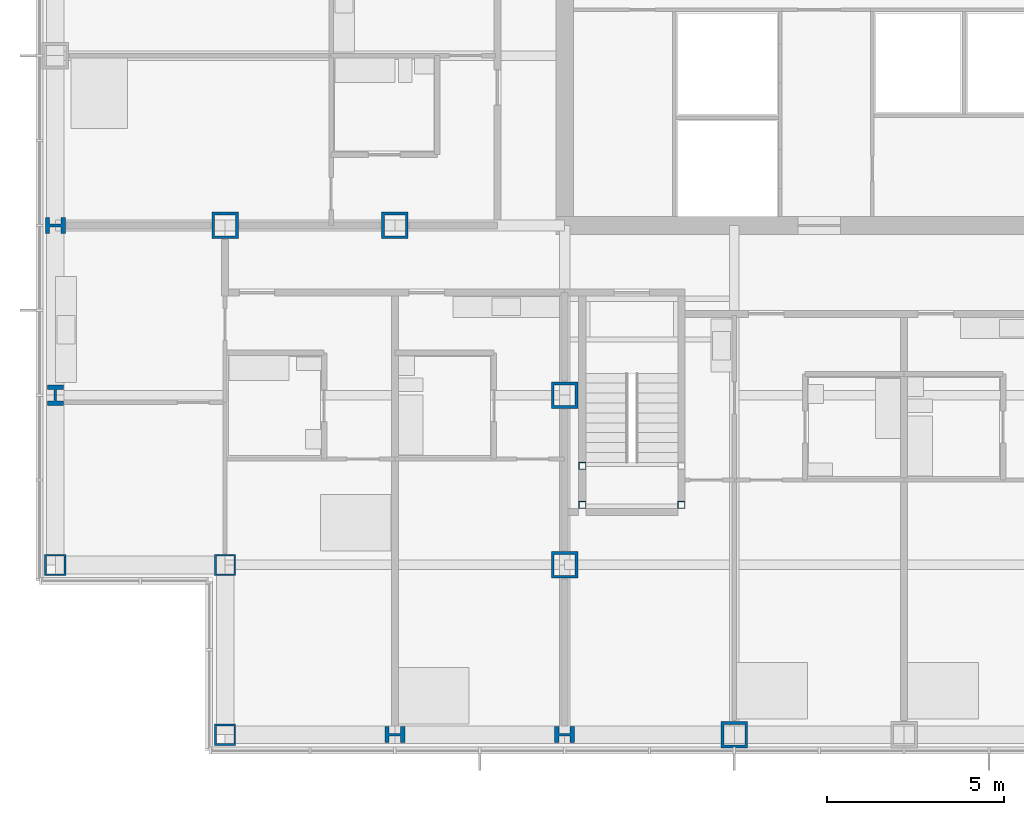
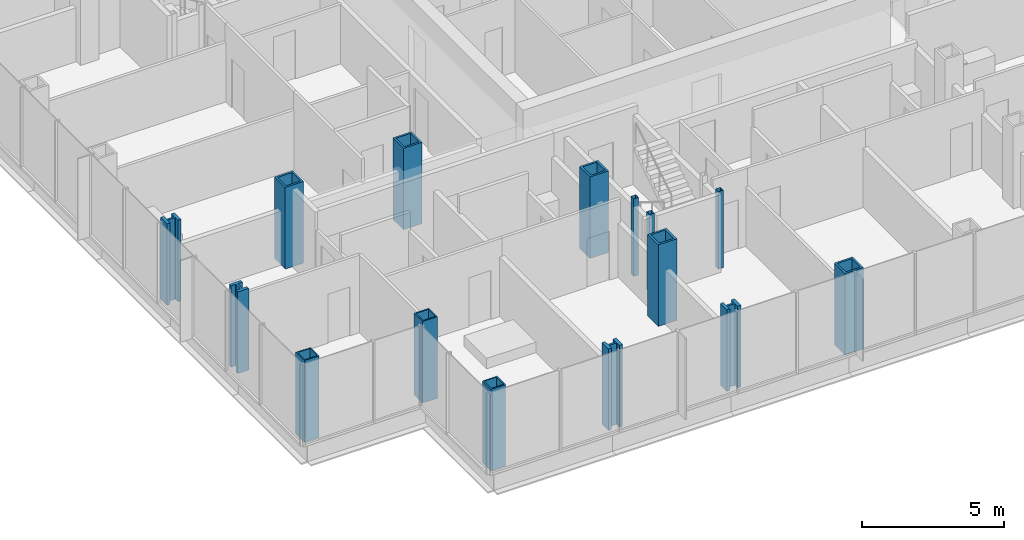
# One storey, part 1 of 21: 15 columns.
"""IFC4 building model written with IfcOpenShell, lengths in metres."""

from ifc_helpers import new_model, si_unit, direction, frame, origin, origin_2d, place, context, subcontext, project, spatial, hollow_rectangle, i_section, extrude, material, material_profile, profile_set, type_object, element, save


model = new_model("IFC4")

# Units and contexts
model_context = context("Model", 3, precision=1e-05, world=origin(), true_north=direction((0.0, 1.0)))
body_context = subcontext(model_context, "Body", "Model", "MODEL_VIEW")
ifc_project = project(units=[si_unit("LENGTHUNIT", "METRE"), si_unit("AREAUNIT", "SQUARE_METRE"), si_unit("VOLUMEUNIT", "CUBIC_METRE"), si_unit("PLANEANGLEUNIT", "RADIAN"), si_unit("MASSUNIT", "GRAM", prefix="KILO")], contexts=[model_context])

# Site, building, storey
site_placement = place(None, origin())
site = spatial("IfcSite", under=ifc_project, at=site_placement, CompositionType="ELEMENT")
building_placement = place(site_placement, origin())
building = spatial("IfcBuilding", under=site, at=building_placement, Name="Kvirike Care Tower", CompositionType="ELEMENT")
storey_placement = place(building_placement, frame((0.0, 0.0, 41.0)))
storey = spatial("IfcBuildingStorey", under=building, at=storey_placement, Name="L10", CompositionType="ELEMENT", Elevation=41.0)

# Columns
ifc_material_1 = material(Name="Steel S460", Category="steel")
ifc_material_profile_1 = material_profile(ifc_material_1, hollow_rectangle(XDim=0.60009765625, YDim=0.60009765625, WallThickness=0.050048828125, at=origin_2d()), Name="BX 600x600x50")
ifc_profile_set_1 = profile_set([ifc_material_profile_1], Name="Steel S460")
column_type_1 = type_object("IfcColumnType", Name="COLUMN BX 600x600x50", PredefinedType="COLUMN", material=ifc_profile_set_1)
for number, where, z_axis, x_axis, name in (
    (1, (0.0, 19.199951171875, 0.0), (0.0, 0.0, 1.0), (0.0, 1.0, 0.0), "Column E3 L10"),
    (2, (4.800048828125, 14.39990234375, 0.0), (0.0, 0.0, 1.0), (0.0, 1.0, 0.0), "Column D4 L10"),
    (3, (4.800048828125, 19.199951171875, 0.0), (0.0, 0.0, 1.0), (0.0, 1.0, 0.0), "Column E4 L10"),
):
    element("IfcColumn", number, at=place(storey_placement, frame(where, z_axis=z_axis, x_axis=x_axis)), inside=storey, type_object=column_type_1, Name=name, PredefinedType="COLUMN", context=body_context, shape_type="SweptSolid", body=[
        extrude(hollow_rectangle(XDim=0.60009765625, YDim=0.60009765625, WallThickness=0.050048828125, at=origin_2d()), origin(), (0.0, 0.0, 1.0), 3.5),
    ])
ifc_material_2 = material(Name="Steel S460", Category="steel")
ifc_material_profile_2 = material_profile(ifc_material_2, hollow_rectangle(XDim=0.75, YDim=0.75, WallThickness=0.080078125, at=origin_2d()), Name="BX 750x750x80")
ifc_profile_set_2 = profile_set([ifc_material_profile_2], Name="Steel S460")
column_type_2 = type_object("IfcColumnType", Name="COLUMN BX 750x750x80", PredefinedType="COLUMN", material=ifc_profile_set_2)
for number, where, z_axis, x_axis, name in (
    (4, (4.800048828125, 28.800048828125, 0.0), (0.0, 0.0, 1.0), (0.0, 1.0, 0.0), "Column G4 L10"),
    (5, (9.60009765625, 28.800048828125, 0.0), (0.0, 0.0, 1.0), (0.0, 1.0, 0.0), "Column G5 L10"),
    (6, (14.39990234375, 19.199951171875, 0.0), (0.0, 0.0, 1.0), (1.0, 0.0, 0.0), "Column E6 L10"),
    (7, (14.39990234375, 24.0, 0.0), (0.0, 0.0, 1.0), (1.0, 0.0, 0.0), "Column F6 L10"),
    (8, (19.199951171875, 14.39990234375, 0.0), (0.0, 0.0, 1.0), (0.0, 1.0, 0.0), "Column D7 L10"),
):
    element("IfcColumn", number, at=place(storey_placement, frame(where, z_axis=z_axis, x_axis=x_axis)), inside=storey, type_object=column_type_2, Name=name, PredefinedType="COLUMN", context=body_context, shape_type="SweptSolid", body=[
        extrude(hollow_rectangle(XDim=0.75, YDim=0.75, WallThickness=0.080078125, at=origin_2d()), origin(), (0.0, 0.0, 1.0), 3.5),
    ])
ifc_material_3 = material(Name="Steel S460", Category="steel")
ifc_material_profile_3 = material_profile(ifc_material_3, i_section(OverallWidth=0.4541015625, OverallDepth=0.569091796875, WebThickness=0.077880859375, FlangeThickness=0.125, FilletRadius=0.014892578125, at=origin_2d()), Name="HD 400x1086")
ifc_profile_set_3 = profile_set([ifc_material_profile_3], Name="Steel S460")
column_type_3 = type_object("IfcColumnType", Name="COLUMN HD 400x1086", PredefinedType="COLUMN", material=ifc_profile_set_3)
for number, where, z_axis, x_axis, name in (
    (9, (0.0, 24.0, 0.0), (0.0, 0.0, 1.0), (1.0, 0.0, 0.0), "Column F3 L10"),
    (10, (0.0, 28.800048828125, 0.0), (0.0, 0.0, 1.0), (0.0, 1.0, 0.0), "Column G3 L10"),
    (11, (9.60009765625, 14.39990234375, 0.0), (0.0, 0.0, 1.0), (0.0, 1.0, 0.0), "Column D5 L10"),
    (12, (14.39990234375, 14.39990234375, 0.0), (0.0, 0.0, 1.0), (0.0, 1.0, 0.0), "Column D6 L10"),
):
    element("IfcColumn", number, at=place(storey_placement, frame(where, z_axis=z_axis, x_axis=x_axis)), inside=storey, type_object=column_type_3, Name=name, PredefinedType="COLUMN", context=body_context, shape_type="SweptSolid", body=[
        extrude(i_section(OverallWidth=0.4541015625, OverallDepth=0.569091796875, WebThickness=0.077880859375, FlangeThickness=0.125, FilletRadius=0.014892578125, at=origin_2d()), origin(), (0.0, 0.0, 1.0), 3.5),
    ])
ifc_material_4 = material(Name="Steel S460", Category="steel")
ifc_material_profile_4 = material_profile(ifc_material_4, hollow_rectangle(XDim=0.199951171875, YDim=0.199951171875, WallThickness=0.008056640625, at=origin_2d()), Name="SHS 200x200x8")
ifc_profile_set_4 = profile_set([ifc_material_profile_4], Name="Steel S460")
column_type_4 = type_object("IfcColumnType", Name="STAIR POST SHS 200x200x8", PredefinedType="COLUMN", material=ifc_profile_set_4)
for number, where, z_axis, x_axis, name in (
    (13, (14.89990234375, 20.89990234375, 0.0), (0.0, 0.0, 1.0), (1.0, 0.0, 0.0), "Stair 5 post 1 L10"),
    (14, (17.699951171875, 20.89990234375, 0.0), (0.0, 0.0, 1.0), (1.0, 0.0, 0.0), "Stair 5 post 2 L10"),
    (15, (14.89990234375, 22.0, 0.0), (0.0, 0.0, 1.0), (1.0, 0.0, 0.0), "Stair 5 post 3 L10"),
):
    element("IfcColumn", number, at=place(storey_placement, frame(where, z_axis=z_axis, x_axis=x_axis)), inside=storey, type_object=column_type_4, Name=name, PredefinedType="COLUMN", context=body_context, shape_type="SweptSolid", body=[
        extrude(hollow_rectangle(XDim=0.199951171875, YDim=0.199951171875, WallThickness=0.008056640625, at=origin_2d()), origin(), (0.0, 0.0, 1.0), 3.330078125),
    ])

save(model, "model.ifc")
